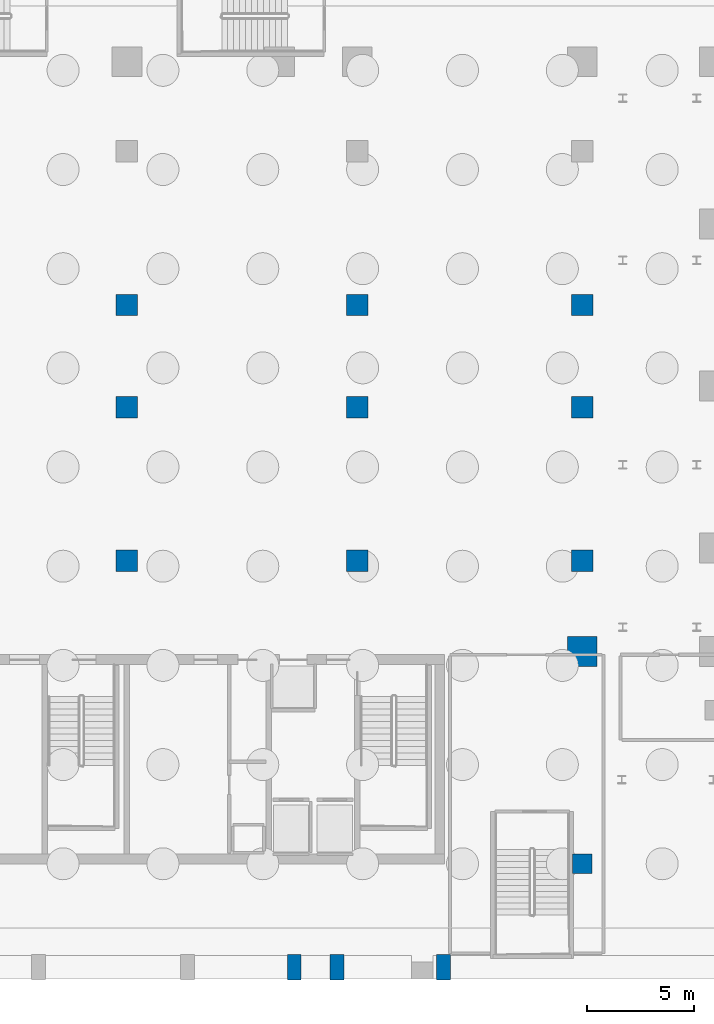
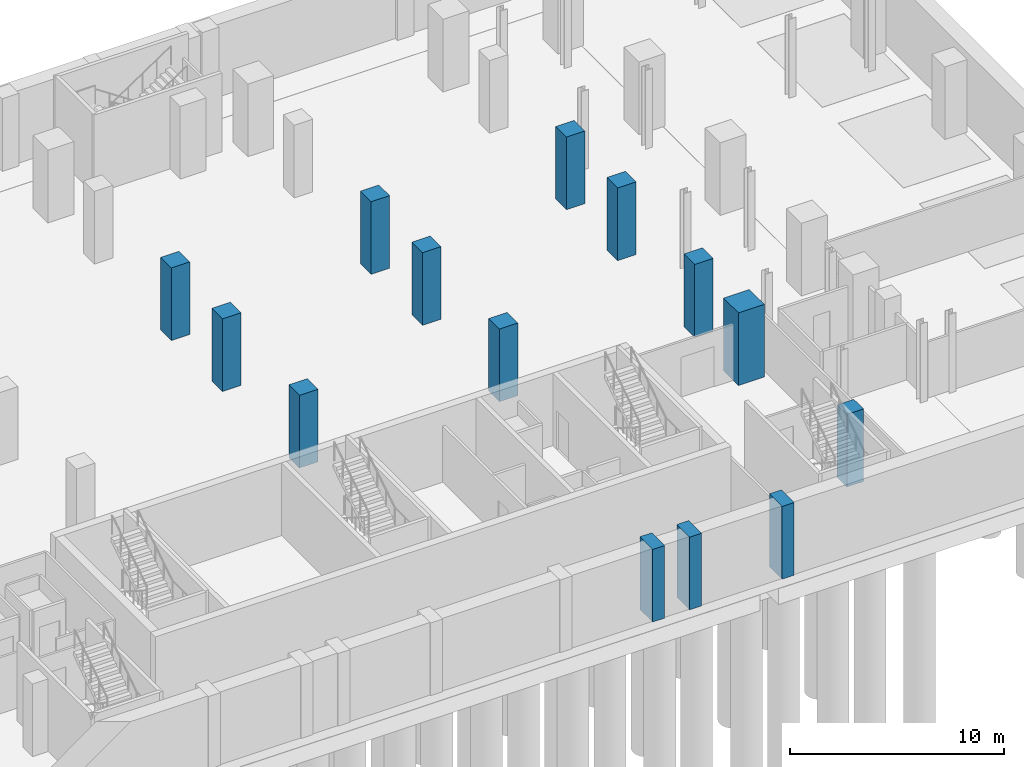
# One storey, part 4 of 18: 14 columns.
"""IFC4 building model written with IfcOpenShell, lengths in metres."""

from ifc_helpers import new_model, si_unit, direction, frame, origin, origin_2d, place, context, subcontext, project, spatial, rectangle, extrude, material, material_profile, profile_set, type_object, element, save


model = new_model("IFC4")

# Units and contexts
model_context = context("Model", 3, precision=1e-05, world=origin(), true_north=direction((0.0, 1.0)))
body_context = subcontext(model_context, "Body", "Model", "MODEL_VIEW")
ifc_project = project(units=[si_unit("LENGTHUNIT", "METRE"), si_unit("AREAUNIT", "SQUARE_METRE"), si_unit("VOLUMEUNIT", "CUBIC_METRE"), si_unit("PLANEANGLEUNIT", "RADIAN"), si_unit("MASSUNIT", "GRAM", prefix="KILO")], contexts=[model_context])

# Site, building, storey
site_placement = place(None, origin())
site = spatial("IfcSite", under=ifc_project, at=site_placement, CompositionType="ELEMENT")
building_placement = place(site_placement, origin())
building = spatial("IfcBuilding", under=site, at=building_placement, Name="Ndaravel Arena Tower", CompositionType="ELEMENT")
storey_placement = place(building_placement, frame((0.0, 0.0, -9.0)))
storey = spatial("IfcBuildingStorey", under=building, at=storey_placement, Name="B02", CompositionType="ELEMENT", Elevation=-9.0)

# Columns
ifc_material_1 = material(Name="Concrete C40/50", Category="concrete")
ifc_material_profile_1 = material_profile(ifc_material_1, rectangle(XDim=1.0, YDim=1.0, at=origin_2d()), Name="RC 1000x1000")
ifc_profile_set_1 = profile_set([ifc_material_profile_1], Name="Concrete C40/50")
column_type_1 = type_object("IfcColumnType", Name="COL-BSMT-RC1000", PredefinedType="COLUMN", material=ifc_profile_set_1)
for number, where, z_axis, x_axis, name in (
    (1, (42.64990234375, 19.60009765625, 0.0), (0.0, 0.0, 1.0), (1.0, 0.0, 0.0), "B02 Sub-Court Column 09"),
    (2, (42.64990234375, 26.800048828125, 0.0), (0.0, 0.0, 1.0), (1.0, 0.0, 0.0), "B02 Sub-Court Column 10"),
    (3, (42.64990234375, 31.60009765625, 0.0), (0.0, 0.0, 1.0), (1.0, 0.0, 0.0), "B02 Sub-Court Column 11"),
    (4, (53.449951171875, 19.60009765625, 0.0), (0.0, 0.0, 1.0), (1.0, 0.0, 0.0), "B02 Sub-Court Column 13"),
    (5, (53.449951171875, 26.800048828125, 0.0), (0.0, 0.0, 1.0), (1.0, 0.0, 0.0), "B02 Sub-Court Column 14"),
    (6, (53.449951171875, 31.60009765625, 0.0), (0.0, 0.0, 1.0), (1.0, 0.0, 0.0), "B02 Sub-Court Column 15"),
    (7, (64.0, 19.60009765625, 0.0), (0.0, 0.0, 1.0), (1.0, 0.0, 0.0), "B02 Sub-Court Column 17"),
    (8, (64.0, 26.800048828125, 0.0), (0.0, 0.0, 1.0), (1.0, 0.0, 0.0), "B02 Sub-Court Column 18"),
    (9, (64.0, 31.60009765625, 0.0), (0.0, 0.0, 1.0), (1.0, 0.0, 0.0), "B02 Sub-Court Column 19"),
):
    element("IfcColumn", number, at=place(storey_placement, frame(where, z_axis=z_axis, x_axis=x_axis)), inside=storey, type_object=column_type_1, Name=name, PredefinedType="COLUMN", context=body_context, shape_type="SweptSolid", body=[
        extrude(rectangle(XDim=1.0, YDim=1.0, at=origin_2d()), origin(), (0.0, 0.0, 1.0), 4.14990234375),
    ])
ifc_material_2 = material(Name="Concrete C40/50", Category="concrete")
ifc_material_profile_2 = material_profile(ifc_material_2, rectangle(XDim=0.89990234375, YDim=0.89990234375, at=origin_2d()), Name="RC 900x900")
ifc_profile_set_2 = profile_set([ifc_material_profile_2], Name="Concrete C40/50")
column_type_2 = type_object("IfcColumnType", Name="COL-BSMT-RC900", PredefinedType="COLUMN", material=ifc_profile_set_2)
column_1_placement = place(storey_placement, frame((64.0, 5.39990234375, 0.0), z_axis=(0.0, 0.0, 1.0), x_axis=(1.0, 0.0, 0.0)))
element("IfcColumn", 10, at=column_1_placement, inside=storey, type_object=column_type_2, Name="B02 South Concourse Column 02", PredefinedType="COLUMN", context=body_context, shape_type="SweptSolid", body=[
    extrude(rectangle(XDim=0.89990234375, YDim=0.89990234375, at=origin_2d()), origin(), (0.0, 0.0, 1.0), 4.14990234375),
])
ifc_material_3 = material(Name="Concrete C60/75", Category="concrete")
ifc_material_profile_3 = material_profile(ifc_material_3, rectangle(XDim=1.39990234375, YDim=1.39990234375, at=origin_2d()), Name="RC 1400x1400")
ifc_profile_set_3 = profile_set([ifc_material_profile_3], Name="Concrete C60/75")
column_type_3 = type_object("IfcColumnType", Name="COL-MEGA-RC1400", PredefinedType="COLUMN", material=ifc_profile_set_3)
column_2_placement = place(storey_placement, frame((64.0, 15.35009765625, 0.0), z_axis=(0.0, 0.0, 1.0), x_axis=(1.0, 0.0, 0.0)))
element("IfcColumn", 11, at=column_2_placement, inside=storey, type_object=column_type_3, Name="B02 Arena Ring Mega Column 12", PredefinedType="COLUMN", context=body_context, shape_type="SweptSolid", body=[
    extrude(rectangle(XDim=1.39990234375, YDim=1.39990234375, at=origin_2d()), origin(), (0.0, 0.0, 1.0), 4.14990234375),
])
ifc_material_4 = material(Name="Concrete C40/50", Category="concrete")
ifc_material_profile_4 = material_profile(ifc_material_4, rectangle(XDim=0.64990234375, YDim=1.199951171875, at=origin_2d()), Name="RC 650x1200")
ifc_profile_set_4 = profile_set([ifc_material_profile_4], Name="Concrete C40/50")
column_type_4 = type_object("IfcColumnType", Name="COL-PIL-RC650", PredefinedType="PILASTER", material=ifc_profile_set_4)
for number, where, z_axis, x_axis, name in (
    (12, (50.5, 0.550048828125, 0.0), (0.0, 0.0, 1.0), (1.0, 0.0, 0.0), "B02 South Foyer Pilaster 06"),
    (13, (52.5, 0.550048828125, 0.0), (0.0, 0.0, 1.0), (1.0, 0.0, 0.0), "B02 South Foyer Pilaster 07"),
    (14, (57.5, 0.550048828125, 0.0), (0.0, 0.0, 1.0), (1.0, 0.0, 0.0), "B02 South Foyer Pilaster 08"),
):
    element("IfcColumn", number, at=place(storey_placement, frame(where, z_axis=z_axis, x_axis=x_axis)), inside=storey, type_object=column_type_4, Name=name, PredefinedType="PILASTER", context=body_context, shape_type="SweptSolid", body=[
        extrude(rectangle(XDim=0.64990234375, YDim=1.199951171875, at=origin_2d()), origin(), (0.0, 0.0, 1.0), 4.14990234375),
    ])

save(model, "model.ifc")
